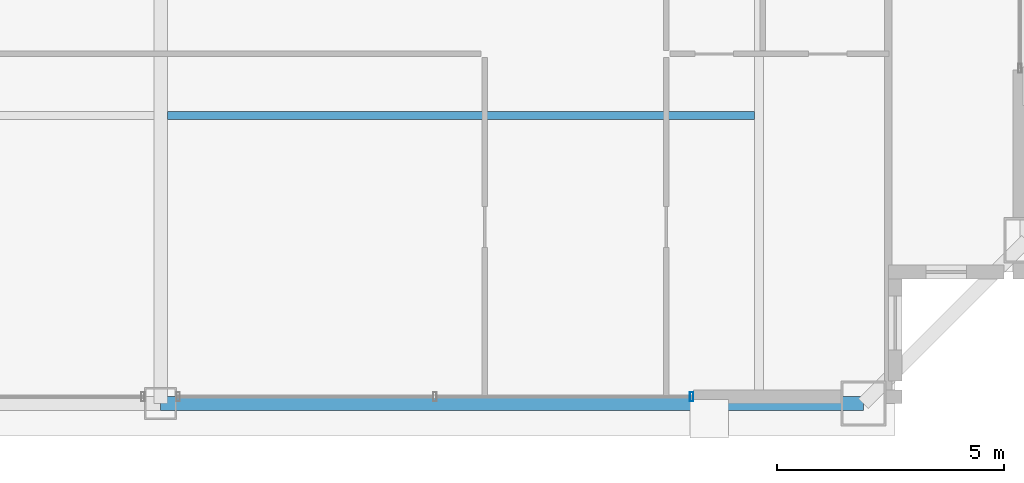
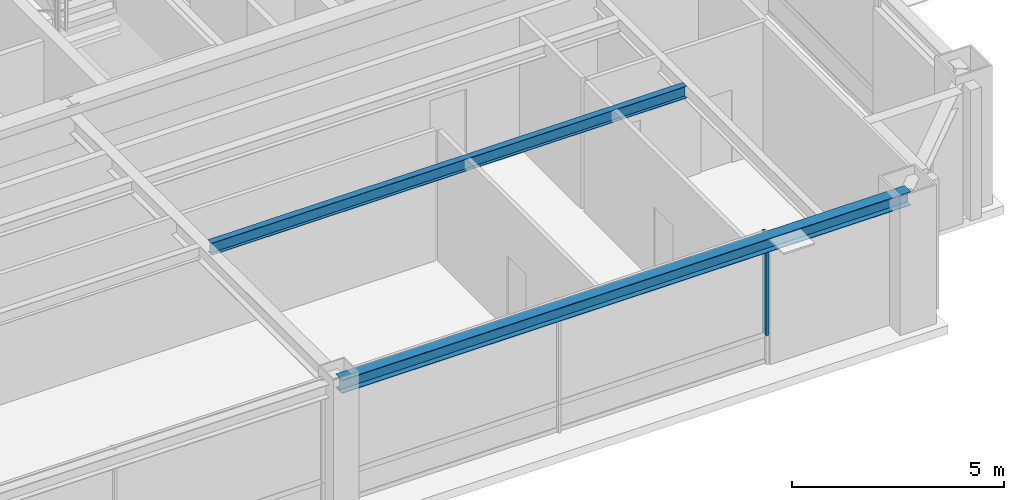
# One storey, part 9 of 34: 2 beams, 1 member, 1 element without a shape of its own.
"""IFC4 building model written with IfcOpenShell, lengths in metres."""

from ifc_helpers import new_model, si_unit, direction, frame, origin, origin_2d, place, context, subcontext, project, spatial, hollow_rectangle, i_section, extrude, source, transform, mapped, material, layer, layer_set, material_profile, profile_set, type_object, element, aggregate, save


model = new_model("IFC4")

# Units and contexts
model_context = context("Model", 3, precision=1e-05, world=origin(), true_north=direction((0.0, 1.0)))
body_context = subcontext(model_context, "Body", "Model", "MODEL_VIEW")
ifc_project = project(units=[si_unit("LENGTHUNIT", "METRE"), si_unit("AREAUNIT", "SQUARE_METRE"), si_unit("VOLUMEUNIT", "CUBIC_METRE"), si_unit("PLANEANGLEUNIT", "RADIAN"), si_unit("MASSUNIT", "GRAM", prefix="KILO"), si_unit("THERMODYNAMICTEMPERATUREUNIT", "KELVIN"), si_unit("POWERUNIT", "WATT")], contexts=[model_context])

# Site, building, storey
site_placement = place(None, origin())
site = spatial("IfcSite", under=ifc_project, at=site_placement, CompositionType="ELEMENT")
building_placement = place(site_placement, origin())
building = spatial("IfcBuilding", under=site, at=building_placement, Name="Yuzanri Waterfront Tower", CompositionType="ELEMENT")
storey_placement = place(building_placement, frame((0.0, 0.0, 339.199951171875)))
storey = spatial("IfcBuildingStorey", under=building, at=storey_placement, Name="L91", CompositionType="ELEMENT", Elevation=339.199951171875)

# Beams
ifc_material_1 = material(Name="Steel Q355B", Category="steel")
ifc_material_profile_1 = material_profile(ifc_material_1, i_section(OverallWidth=0.175048828125, OverallDepth=0.35009765625, WebThickness=0.007080078125, FlangeThickness=0.010986328125, at=origin_2d()), Name="HN 350x175x7x11")
ifc_profile_set_1 = profile_set([ifc_material_profile_1], Name="Steel Q355B")
beam_type_1 = type_object("IfcBeamType", Name="Floor Joist Q355B HN 350x175", PredefinedType="JOIST", material=ifc_profile_set_1)
shared_shape_1 = source(origin(), body_context, "Body", "SweptSolid", [
    extrude(i_section(OverallWidth=0.175048828125, OverallDepth=0.35009765625, WebThickness=0.007080078125, FlangeThickness=0.010986328125, at=origin_2d()), origin(), (0.0, 0.0, 1.0), 12.9501953125),
])
beam_1_placement = place(storey_placement, frame((37.14990234375, 13.050048828125, 3.5849609375), z_axis=(1.0, 0.0, 0.0), x_axis=(0.0, 1.0, 0.0)))
element("IfcBeam", 1, at=beam_1_placement, inside=storey, type_object=beam_type_1, Name="L91 South Bay Joist E", PredefinedType="JOIST", context=body_context, shape_type="MappedRepresentation", body=[
    mapped(shared_shape_1, transform((0.0, 0.0, 0.0), scale=1.0)),
])
ifc_material_2 = material(Name="Steel Q355B", Category="steel")
ifc_material_profile_2 = material_profile(ifc_material_2, i_section(OverallWidth=0.300048828125, OverallDepth=0.389892578125, WebThickness=0.010009765625, FlangeThickness=0.01611328125, at=origin_2d()), Name="HM 390x300x10x16")
ifc_profile_set_2 = profile_set([ifc_material_profile_2], Name="Steel Q355B")
beam_type_2 = type_object("IfcBeamType", Name="Perimeter Spandrel Q355B HM 390x300", PredefinedType="SPANDREL", material=ifc_profile_set_2)
shared_shape_2 = source(origin(), body_context, "Body", "SweptSolid", [
    extrude(i_section(OverallWidth=0.300048828125, OverallDepth=0.389892578125, WebThickness=0.010009765625, FlangeThickness=0.01611328125, at=origin_2d()), origin(), (0.0, 0.0, 1.0), 15.5),
])
beam_2_placement = place(storey_placement, frame((37.0, 6.699951171875, 3.56494140625), z_axis=(1.0, 0.0, 0.0), x_axis=(0.0, 1.0, 0.0)))
element("IfcBeam", 2, at=beam_2_placement, inside=storey, type_object=beam_type_2, Name="L91 Perimeter Spandrel S2-S3", PredefinedType="SPANDREL", context=body_context, shape_type="MappedRepresentation", body=[
    mapped(shared_shape_2, transform((0.0, 0.0, 0.0), scale=1.0)),
])

# Curtain wall, member
ifc_material_3 = material(Name="Anodized Architectural Bronze", Category="metal")
ifc_layer = layer(ifc_material_3, 0.159912109375)
ifc_layer_set = layer_set([ifc_layer], Name="Anodized Architectural Bronze")
curtain_wall_type = type_object("IfcCurtainWallType", Name="Anodized Bronze High-Rise Penthouse High-Wind Unitized Curtain Wall 6900", PredefinedType="NOTDEFINED", material=ifc_layer_set)
curtain_wall_placement = place(storey_placement, origin())
curtain_wall = element("IfcCurtainWall", 3, at=curtain_wall_placement, inside=storey, type_object=curtain_wall_type, Name="L91 Curtain Wall CW-L91-SR", PredefinedType="NOTDEFINED")
ifc_material_4 = material(Name="Anodized Architectural Bronze", Category="metal")
ifc_material_profile_3 = material_profile(ifc_material_4, hollow_rectangle(XDim=0.074951171875, YDim=0.199951171875, WallThickness=0.00390625, at=origin_2d()), Name="CWM 75x200")
ifc_profile_set_3 = profile_set([ifc_material_profile_3], Name="Anodized Architectural Bronze")
member_type = type_object("IfcMemberType", Name="Anodized Bronze Primary Curtain-Wall Mullion 75x200", PredefinedType="MULLION", material=ifc_profile_set_3)
shared_shape_3 = source(origin(), body_context, "Body", "SweptSolid", [
    extrude(hollow_rectangle(XDim=0.074951171875, YDim=0.199951171875, WallThickness=0.00390625, at=origin_2d()), origin(), (0.0, 0.0, 1.0), 2.93798828125),
])
member_placement = place(storey_placement, frame((48.7099609375, 6.85009765625, 0.822021484375), z_axis=(0.0, 0.0, 1.0), x_axis=(1.0, 0.0, 0.0)))
member = element("IfcMember", 4, at=member_placement, type_object=member_type, Name="CW-L91-SR Upper Mullion 02", PredefinedType="MULLION", context=body_context, shape_type="MappedRepresentation", body=[
    mapped(shared_shape_3, transform((0.0, 0.0, 0.0), scale=1.0)),
])
aggregate(curtain_wall, [member])

save(model, "model.ifc")
